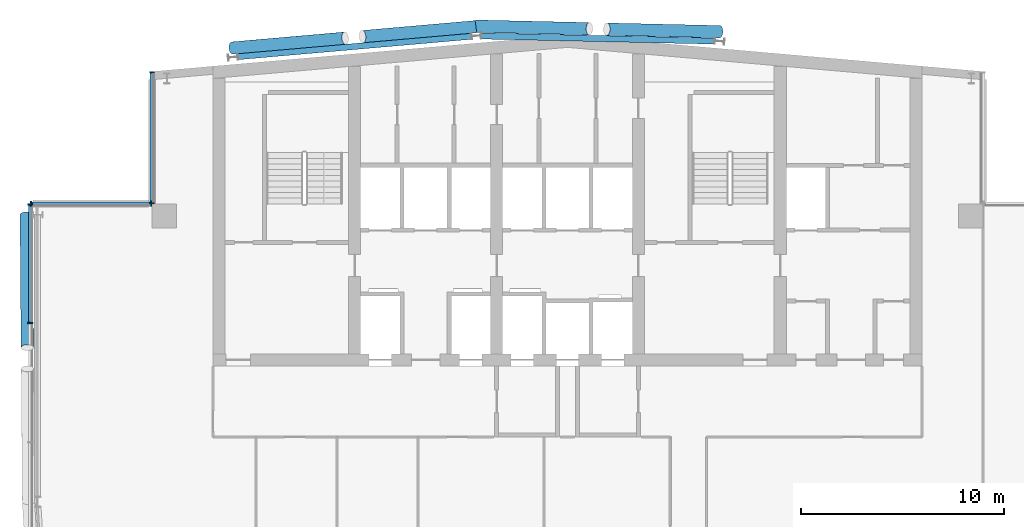
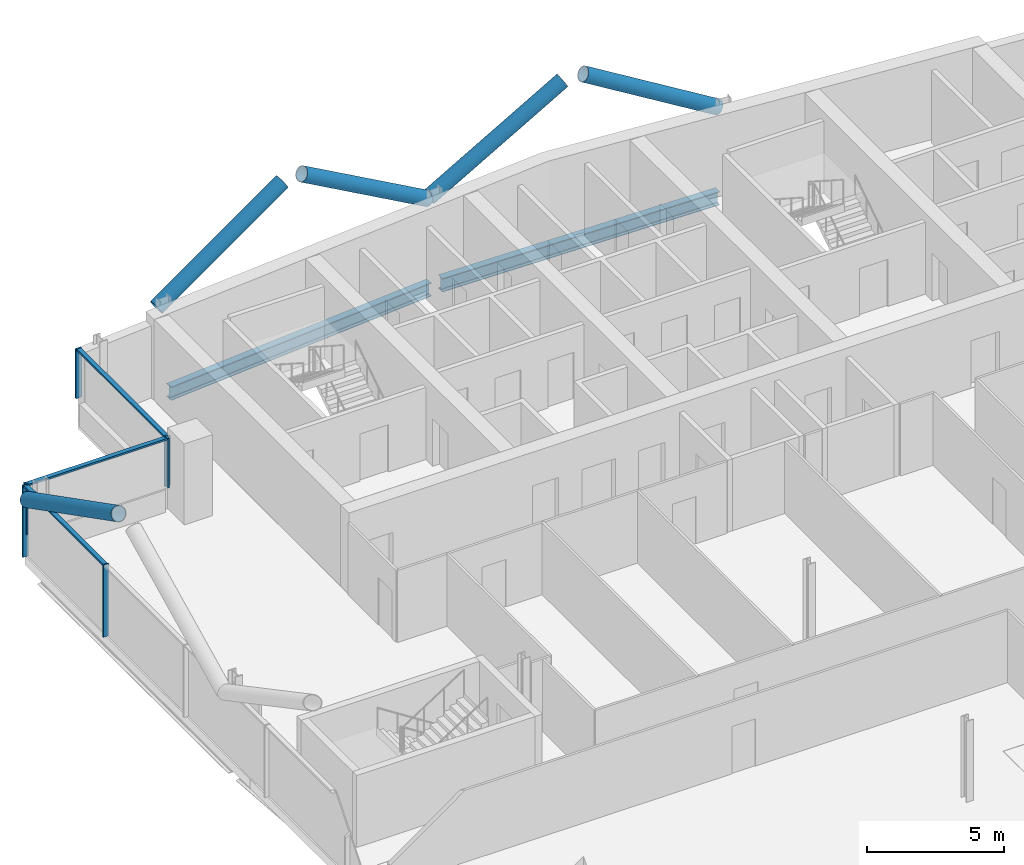
# One storey, part 10 of 26: 14 members, 2 beams, 3 elements without a shape of their own.
"""IFC4 building model written with IfcOpenShell, lengths in metres."""

from ifc_helpers import new_model, si_unit, direction, frame, origin, origin_2d, place, context, subcontext, project, spatial, rectangle, hollow_circle, i_section, extrude, material, material_profile, profile_set, type_object, element, aggregate, save


model = new_model("IFC4")

# Units and contexts
model_context = context("Model", 3, precision=1e-05, world=origin(), true_north=direction((0.0, 1.0)))
body_context = subcontext(model_context, "Body", "Model", "MODEL_VIEW")
ifc_project = project(units=[si_unit("LENGTHUNIT", "METRE"), si_unit("AREAUNIT", "SQUARE_METRE"), si_unit("VOLUMEUNIT", "CUBIC_METRE"), si_unit("PLANEANGLEUNIT", "RADIAN"), si_unit("MASSUNIT", "GRAM", prefix="KILO")], contexts=[model_context])

# Site, building, storey
site_placement = place(None, origin())
site = spatial("IfcSite", under=ifc_project, at=site_placement, CompositionType="ELEMENT")
building_placement = place(site_placement, origin())
building = spatial("IfcBuilding", under=site, at=building_placement, Name="Wharfspan Tower", CompositionType="ELEMENT")
storey_placement = place(building_placement, frame((0.0, 0.0, 217.899902)))
storey = spatial("IfcBuildingStorey", under=building, at=storey_placement, Name="L54", CompositionType="ELEMENT", Elevation=217.899902)

# Beams
ifc_material_1 = material(Name="Steel S355J2", Category="steel")
ifc_material_profile_1 = material_profile(ifc_material_1, i_section(OverallWidth=0.300049, OverallDepth=0.600098, WebThickness=0.015381, FlangeThickness=0.030029, FilletRadius=0.0271, at=origin_2d()))
ifc_profile_set_1 = profile_set([ifc_material_profile_1], Name="Steel S355J2")
beam_type = type_object("IfcBeamType", Name="Edge beam HEB 600", PredefinedType="SPANDREL", material=ifc_profile_set_1)
beam_1_placement = place(storey_placement, frame((35.754883, 50.263428, -0.699951), z_axis=(-0.996194, -0.087165, 0.0), x_axis=(0.087165, -0.996194, 0.0)))
element("IfcBeam", 1, at=beam_1_placement, inside=storey, type_object=beam_type, Name="Edge beam N1 L54 R.2 to R.1", PredefinedType="SPANDREL", context=body_context, shape_type="SweptSolid", body=[
    extrude(i_section(OverallWidth=0.300049, OverallDepth=0.600098, WebThickness=0.015381, FlangeThickness=0.030029, FilletRadius=0.0271, at=origin_2d()), origin(), (0.0, 0.0, 1.0), 11.553711),
])
beam_2_placement = place(storey_placement, frame((36.247559, 50.279297, -0.699951), z_axis=(0.999761, -0.021871, 0.0), x_axis=(0.021871, 0.999761, 0.0)))
element("IfcBeam", 2, at=beam_2_placement, inside=storey, type_object=beam_type, Name="Edge beam L54 R.2 to R.3", PredefinedType="SPANDREL", context=body_context, shape_type="SweptSolid", body=[
    extrude(i_section(OverallWidth=0.300049, OverallDepth=0.600098, WebThickness=0.015381, FlangeThickness=0.030029, FilletRadius=0.0271, at=origin_2d()), origin(), (0.0, 0.0, 1.0), 11.508545),
])

# Curtain wall, members
ifc_material_2 = material(Name="Aluminium 6063-T6", Category="aluminium")
curtain_wall_type = type_object("IfcCurtainWallType", Name="CURTAIN WALL PROW AND END", PredefinedType="NOTDEFINED", material=ifc_material_2)
curtain_wall_1_placement = place(storey_placement, origin())
curtain_wall_1 = element("IfcCurtainWall", 3, at=curtain_wall_1_placement, inside=storey, type_object=curtain_wall_type, Name="Curtain wall NRW-V", PredefinedType="NOTDEFINED")
ifc_material_profile_2 = material_profile(ifc_material_2, rectangle(XDim=0.23999, YDim=0.060059, at=origin_2d()))
ifc_profile_set_2 = profile_set([ifc_material_profile_2], Name="Aluminium 6063-T6")
member_type_1 = type_object("IfcMemberType", Name="MULLION PROW AND END 60x240", PredefinedType="MULLION", material=ifc_profile_set_2)
member_1_placement = place(storey_placement, frame((20.0, 48.494873, 1.0), z_axis=(0.0, 0.0, 1.0), x_axis=(1.0, 0.0, 0.0)))
member_1 = element("IfcMember", 4, at=member_1_placement, type_object=member_type_1, Name="Curtain wall NRW-V mullion 1", PredefinedType="MULLION", context=body_context, shape_type="SweptSolid", body=[
    extrude(rectangle(XDim=0.23999, YDim=0.060059, at=origin_2d()), origin(), (0.0, 0.0, 1.0), 2.200195),
])
member_2_placement = place(storey_placement, frame((20.0, 42.030029, 1.0), z_axis=(0.0, 0.0, 1.0), x_axis=(1.0, 0.0, 0.0)))
member_2 = element("IfcMember", 5, at=member_2_placement, type_object=member_type_1, Name="Curtain wall NRW-V mullion 2", PredefinedType="MULLION", context=body_context, shape_type="SweptSolid", body=[
    extrude(rectangle(XDim=0.23999, YDim=0.060059, at=origin_2d()), origin(), (0.0, 0.0, 1.0), 2.200195),
])

curtain_wall_2_placement = place(storey_placement, origin())
curtain_wall_2 = element("IfcCurtainWall", 6, at=curtain_wall_2_placement, inside=storey, type_object=curtain_wall_type, Name="Curtain wall NRW-H", PredefinedType="NOTDEFINED")
member_3_placement = place(storey_placement, frame((19.969971, 42.0, 1.0), z_axis=(0.0, 0.0, 1.0), x_axis=(0.0, -1.0, 0.0)))
member_3 = element("IfcMember", 7, at=member_3_placement, type_object=member_type_1, Name="Curtain wall NRW-H mullion 1", PredefinedType="MULLION", context=body_context, shape_type="SweptSolid", body=[
    extrude(rectangle(XDim=0.23999, YDim=0.060059, at=origin_2d()), origin(), (0.0, 0.0, 1.0), 2.200195),
])
member_4_placement = place(storey_placement, frame((14.030029, 42.0, 1.0), z_axis=(0.0, 0.0, 1.0), x_axis=(0.0, -1.0, 0.0)))
member_4 = element("IfcMember", 8, at=member_4_placement, type_object=member_type_1, Name="Curtain wall NRW-H mullion 2", PredefinedType="MULLION", context=body_context, shape_type="SweptSolid", body=[
    extrude(rectangle(XDim=0.23999, YDim=0.060059, at=origin_2d()), origin(), (0.0, 0.0, 1.0), 2.200195),
])

curtain_wall_3_placement = place(storey_placement, origin())
curtain_wall_3 = element("IfcCurtainWall", 9, at=curtain_wall_3_placement, inside=storey, type_object=curtain_wall_type, Name="Curtain wall W", PredefinedType="NOTDEFINED")
member_5_placement = place(storey_placement, frame((14.0, 41.969971, 0.0), z_axis=(0.0, 0.0, 1.0), x_axis=(1.0, 0.0, 0.0)))
member_5 = element("IfcMember", 10, at=member_5_placement, type_object=member_type_1, Name="Curtain wall W mullion 1", PredefinedType="MULLION", context=body_context, shape_type="SweptSolid", body=[
    extrude(rectangle(XDim=0.23999, YDim=0.060059, at=origin_2d()), origin(), (0.0, 0.0, 1.0), 3.200195),
])
member_6_placement = place(storey_placement, frame((14.0, 36.120117, 0.0), z_axis=(0.0, 0.0, 1.0), x_axis=(1.0, 0.0, 0.0)))
member_6 = element("IfcMember", 11, at=member_6_placement, type_object=member_type_1, Name="Curtain wall W mullion 2", PredefinedType="MULLION", context=body_context, shape_type="SweptSolid", body=[
    extrude(rectangle(XDim=0.23999, YDim=0.060059, at=origin_2d()), origin(), (0.0, 0.0, 1.0), 3.200195),
])

# Members
ifc_material_3 = material(Name="Steel S460NH", Category="steel")
ifc_material_profile_3 = material_profile(ifc_material_3, hollow_circle(Radius=0.304932, WallThickness=0.024902, at=origin_2d()))
ifc_profile_set_3 = profile_set([ifc_material_profile_3], Name="Steel S460NH")
member_type_2 = type_object("IfcMemberType", Name="Mega brace CHS 610x25", PredefinedType="BRACE", material=ifc_profile_set_3)
member_7_placement = place(storey_placement, frame((13.792969, 41.459717, 2.900146), z_axis=(0.007044, -0.891361, 0.45324), x_axis=(0.999973, 0.007904, 3e-06)))
element("IfcMember", 12, at=member_7_placement, inside=storey, type_object=member_type_2, Name="Mega brace W3 L55 part 1", PredefinedType="BRACE", context=body_context, shape_type="SweptSolid", body=[
    extrude(hollow_circle(Radius=0.304932, WallThickness=0.024902, at=origin_2d()), origin(), (0.0, 0.0, 1.0), 7.347168),
])
member_8_placement = place(storey_placement, frame((23.960693, 49.685059, 2.900146), z_axis=(0.855093, 0.074814, 0.513048), x_axis=(-0.087159, 0.996198, -1e-06)))
element("IfcMember", 13, at=member_8_placement, inside=storey, type_object=member_type_2, Name="Mega brace N7 L55 part 1", PredefinedType="BRACE", context=body_context, shape_type="SweptSolid", body=[
    extrude(hollow_circle(Radius=0.304932, WallThickness=0.024902, at=origin_2d()), origin(), (0.0, 0.0, 1.0), 6.510254),
])
member_9_placement = place(storey_placement, frame((35.960693, 50.735107, 2.900146), z_axis=(-0.855103, -0.074812, 0.513032), x_axis=(0.087157, -0.996193, 2e-06)))
element("IfcMember", 14, at=member_9_placement, inside=storey, type_object=member_type_2, Name="Mega brace N7 L55 part 3", PredefinedType="BRACE", context=body_context, shape_type="SweptSolid", body=[
    extrude(hollow_circle(Radius=0.304932, WallThickness=0.024902, at=origin_2d()), origin(), (0.0, 0.0, 1.0), 6.510498),
])
for number, where, z_axis, x_axis, name in (
    (15, (36.010498, 50.762939, 2.900146), (0.857337, -0.019475, 0.514387), (0.022711, 0.999741, -2e-06), "Mega brace N8 L55 part 1"),
    (16, (48.010254, 50.490234, 2.900146), (-0.857337, 0.019475, 0.514387), (-0.022711, -0.999741, -2e-06), "Mega brace N8 L55 part 3"),
):
    element("IfcMember", number, at=place(storey_placement, frame(where, z_axis=z_axis, x_axis=x_axis)), inside=storey, type_object=member_type_2, Name=name, PredefinedType="BRACE", context=body_context, shape_type="SweptSolid", body=[
        extrude(hollow_circle(Radius=0.304932, WallThickness=0.024902, at=origin_2d()), origin(), (0.0, 0.0, 1.0), 6.493896),
    ])

# Member
ifc_material_profile_4 = material_profile(ifc_material_2, rectangle(XDim=0.179932, YDim=0.080078, at=origin_2d()))
ifc_profile_set_4 = profile_set([ifc_material_profile_4], Name="Aluminium 6063-T6")
member_type_3 = type_object("IfcMemberType", Name="TRANSOM PROW AND END 80x180", PredefinedType="USERDEFINED", material=ifc_profile_set_4)
member_10_placement = place(storey_placement, frame((20.0, 48.464844, 3.160156), z_axis=(0.0, -1.0, 0.0), x_axis=(1.0, 0.0, 0.0)))
member_10 = element("IfcMember", 17, at=member_10_placement, type_object=member_type_3, Name="Curtain wall NRW-V transom 1", ObjectType="TRANSOM", PredefinedType="USERDEFINED", context=body_context, shape_type="SweptSolid", body=[
    extrude(rectangle(XDim=0.179932, YDim=0.080078, at=origin_2d()), origin(), (0.0, 0.0, 1.0), 6.404785),
])

aggregate(curtain_wall_1, [member_1, member_2, member_10])

member_11_placement = place(storey_placement, frame((19.939941, 42.0, 3.160156), z_axis=(-1.0, 0.0, 0.0), x_axis=(0.0, -1.0, 0.0)))
member_11 = element("IfcMember", 18, at=member_11_placement, type_object=member_type_3, Name="Curtain wall NRW-H transom 1", ObjectType="TRANSOM", PredefinedType="USERDEFINED", context=body_context, shape_type="SweptSolid", body=[
    extrude(rectangle(XDim=0.179932, YDim=0.080078, at=origin_2d()), origin(), (0.0, 0.0, 1.0), 5.879883),
])

aggregate(curtain_wall_2, [member_3, member_4, member_11])

member_12_placement = place(storey_placement, frame((14.0, 41.939941, 3.160156), z_axis=(0.0, -1.0, 0.0), x_axis=(1.0, 0.0, 0.0)))
member_12 = element("IfcMember", 19, at=member_12_placement, type_object=member_type_3, Name="Curtain wall W transom 1", ObjectType="TRANSOM", PredefinedType="USERDEFINED", context=body_context, shape_type="SweptSolid", body=[
    extrude(rectangle(XDim=0.179932, YDim=0.080078, at=origin_2d()), origin(), (0.0, 0.0, 1.0), 5.790039),
])

aggregate(curtain_wall_3, [member_5, member_6, member_12])

save(model, "model.ifc")
